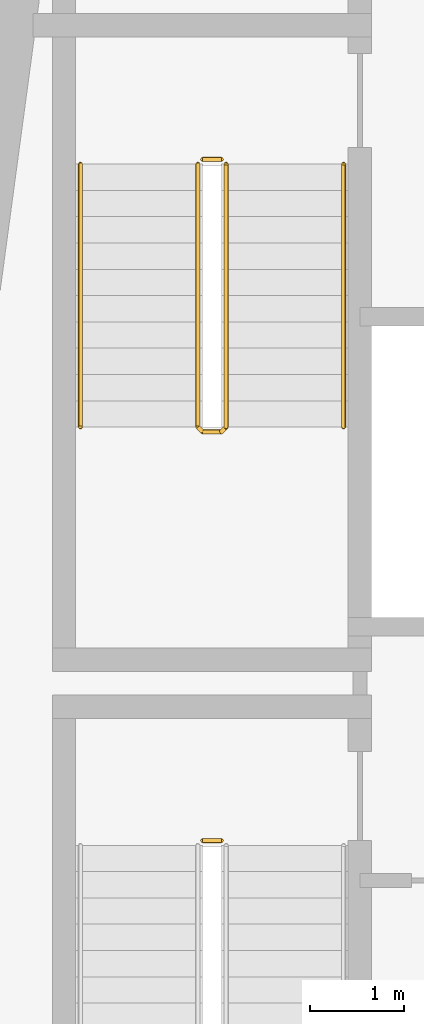
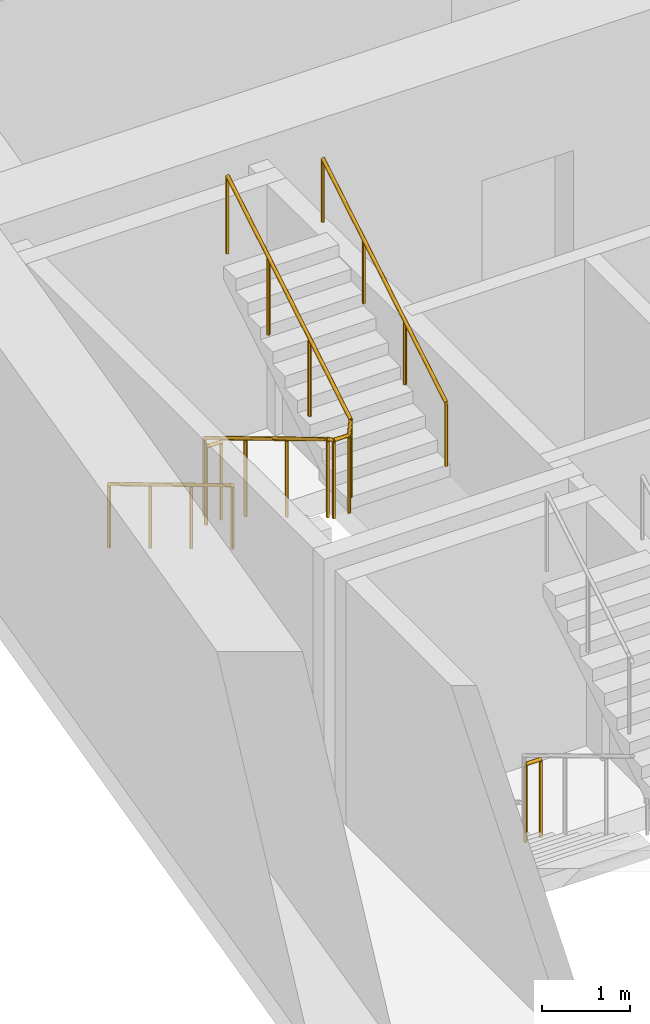
# One storey, part 9 of 12: 5 railings.
"""IFC4 building model written with IfcOpenShell, lengths in metres."""

from ifc_helpers import new_model, si_unit, direction, frame, origin, origin_2d, place, context, subcontext, project, spatial, circle, extrude, material, type_object, element, save


model = new_model("IFC4")

# Units and contexts
model_context = context("Model", 3, precision=1e-05, world=origin(), true_north=direction((0.0, 1.0)))
body_context = subcontext(model_context, "Body", "Model", "MODEL_VIEW")
ifc_project = project(units=[si_unit("LENGTHUNIT", "METRE"), si_unit("AREAUNIT", "SQUARE_METRE"), si_unit("VOLUMEUNIT", "CUBIC_METRE"), si_unit("PLANEANGLEUNIT", "RADIAN"), si_unit("MASSUNIT", "GRAM", prefix="KILO")], contexts=[model_context])

# Site, building, storey
site_placement = place(None, origin())
site = spatial("IfcSite", under=ifc_project, at=site_placement, CompositionType="ELEMENT")
building_placement = place(site_placement, origin())
building = spatial("IfcBuilding", under=site, at=building_placement, Name="Candeia Pilgrim Tower and Theatre", CompositionType="ELEMENT")
storey_placement = place(building_placement, frame((0.0, 0.0, 184.800048828125)))
storey = spatial("IfcBuildingStorey", under=building, at=storey_placement, Name="L44", CompositionType="ELEMENT", Elevation=184.800048828125)

# Railings
ifc_material_1 = material(Name="Stainless steel balustrade", Category="steel")
railing_type_1 = type_object("IfcRailingType", Name="RL-GUARD-1100", PredefinedType="GUARDRAIL", material=ifc_material_1)
railing_1_placement = place(storey_placement, frame((91.152099609375, 122.52490234375, 0.0)))
element("IfcRailing", 1, at=railing_1_placement, inside=storey, type_object=railing_type_1, Name="L44 ST1 stair guard 2", PredefinedType="GUARDRAIL", context=body_context, shape_type="SweptSolid", body=[
    extrude(circle(Radius=0.02392578125, at=origin_2d()), frame((0.0, 0.0, 1.076171875), z_axis=(1.0, 0.0, 0.0), x_axis=(0.0, 1.0, 0.0)), (0.0, 0.0, 1.0), 0.199951171875),
    extrude(circle(Radius=0.02099609375, at=origin_2d()), origin(), (0.0, 0.0, 1.0), 1.052001953125),
    extrude(circle(Radius=0.02099609375, at=origin_2d()), frame((0.199951171875, 0.0, 0.0)), (0.0, 0.0, 1.0), 1.052001953125),
])
railing_2_placement = place(storey_placement, frame((91.10205078125, 129.72509765625, 0.168212890625)))
element("IfcRailing", 2, at=railing_2_placement, inside=storey, type_object=railing_type_1, Name="L44 ST2 stair guard 1", PredefinedType="GUARDRAIL", context=body_context, shape_type="SweptSolid", body=[
    extrude(circle(Radius=0.02392578125, at=origin_2d()), frame((0.0, 0.0, 1.076171875), z_axis=(0.0, -0.857275202839, 0.514858452973), x_axis=(1.0, 0.0, 0.0)), (0.0, 0.0, 1.0), 3.26611328125),
    extrude(circle(Radius=0.02392578125, at=origin_2d()), frame((0.0, -2.800048828125, 2.7578125), z_axis=(0.707106781187, -0.707106781187, 0.0), x_axis=(0.707106781187, 0.707106781187, 0.0)), (0.0, 0.0, 1.0), 0.07080078125),
    extrude(circle(Radius=0.02392578125, at=origin_2d()), frame((0.050048828125, -2.85009765625, 2.7578125), z_axis=(1.0, 0.0, 0.0), x_axis=(0.0, 1.0, 0.0)), (0.0, 0.0, 1.0), 0.199951171875),
    extrude(circle(Radius=0.02392578125, at=origin_2d()), frame((0.25, -2.85009765625, 2.7578125), z_axis=(0.274243871929, 0.274243871929, 0.92172696468), x_axis=(-0.707106781187, 0.707106781187, 0.0)), (0.0, 0.0, 1.0), 0.1826171875),
    extrude(circle(Radius=0.02392578125, at=origin_2d()), frame((0.300048828125, -2.800048828125, 2.92578125), z_axis=(0.0, 0.857242210791, 0.514913383045), x_axis=(-1.0, 0.0, 0.0)), (0.0, 0.0, 1.0), 3.266357421875),
    extrude(circle(Radius=0.02099609375, at=origin_2d()), origin(), (0.0, 0.0, 1.0), 1.052001953125),
    extrude(circle(Radius=0.02099609375, at=origin_2d()), frame((0.0, -0.933349609375, 0.560546875)), (0.0, 0.0, 1.0), 1.052001953125),
    extrude(circle(Radius=0.02099609375, at=origin_2d()), frame((0.0, -1.86669921875, 1.12109375)), (0.0, 0.0, 1.0), 1.052001953125),
    extrude(circle(Radius=0.02099609375, at=origin_2d()), frame((0.0, -2.800048828125, 1.681640625)), (0.0, 0.0, 1.0), 1.052001953125),
    extrude(circle(Radius=0.02099609375, at=origin_2d()), frame((0.050048828125, -2.85009765625, 1.681640625)), (0.0, 0.0, 1.0), 1.052001953125),
    extrude(circle(Radius=0.02099609375, at=origin_2d()), frame((0.25, -2.85009765625, 1.681640625)), (0.0, 0.0, 1.0), 1.052001953125),
    extrude(circle(Radius=0.02099609375, at=origin_2d()), frame((0.300048828125, -2.800048828125, 1.849853515625)), (0.0, 0.0, 1.0), 1.052001953125),
    extrude(circle(Radius=0.02099609375, at=origin_2d()), frame((0.300048828125, -1.86669921875, 2.410400390625)), (0.0, 0.0, 1.0), 1.052001953125),
    extrude(circle(Radius=0.02099609375, at=origin_2d()), frame((0.300048828125, -0.933349609375, 2.97119140625)), (0.0, 0.0, 1.0), 1.052001953125),
    extrude(circle(Radius=0.02099609375, at=origin_2d()), frame((0.300048828125, 0.0, 3.53173828125)), (0.0, 0.0, 1.0), 1.052001953125),
])
railing_3_placement = place(storey_placement, frame((91.152099609375, 129.77490234375, 0.0)))
element("IfcRailing", 3, at=railing_3_placement, inside=storey, type_object=railing_type_1, Name="L44 ST2 stair guard 2", PredefinedType="GUARDRAIL", context=body_context, shape_type="SweptSolid", body=[
    extrude(circle(Radius=0.02392578125, at=origin_2d()), frame((0.0, 0.0, 1.076171875), z_axis=(1.0, 0.0, 0.0), x_axis=(0.0, 1.0, 0.0)), (0.0, 0.0, 1.0), 0.199951171875),
    extrude(circle(Radius=0.02099609375, at=origin_2d()), origin(), (0.0, 0.0, 1.0), 1.052001953125),
    extrude(circle(Radius=0.02099609375, at=origin_2d()), frame((0.199951171875, 0.0, 0.0)), (0.0, 0.0, 1.0), 1.052001953125),
])
ifc_material_2 = material(Name="Stainless steel handrail", Category="steel")
railing_type_2 = type_object("IfcRailingType", Name="RL-HANDRAIL-900", PredefinedType="HANDRAIL", material=ifc_material_2)
railing_4_placement = place(storey_placement, frame((89.85205078125, 129.72509765625, 0.168212890625)))
element("IfcRailing", 4, at=railing_4_placement, inside=storey, type_object=railing_type_2, Name="L44 ST2 stair handrail 1", PredefinedType="HANDRAIL", context=body_context, shape_type="SweptSolid", body=[
    extrude(circle(Radius=0.02392578125, at=origin_2d()), frame((0.0, 0.0, 0.8759765625), z_axis=(0.0, -0.857275202839, 0.514858452973), x_axis=(1.0, 0.0, 0.0)), (0.0, 0.0, 1.0), 3.26611328125),
    extrude(circle(Radius=0.02099609375, at=origin_2d()), origin(), (0.0, 0.0, 1.0), 0.851806640625),
    extrude(circle(Radius=0.02099609375, at=origin_2d()), frame((0.0, -0.933349609375, 0.560546875)), (0.0, 0.0, 1.0), 0.851806640625),
    extrude(circle(Radius=0.02099609375, at=origin_2d()), frame((0.0, -1.86669921875, 1.12109375)), (0.0, 0.0, 1.0), 0.851806640625),
    extrude(circle(Radius=0.02099609375, at=origin_2d()), frame((0.0, -2.800048828125, 1.681640625)), (0.0, 0.0, 1.0), 0.851806640625),
])
railing_5_placement = place(storey_placement, frame((92.652099609375, 126.925048828125, 2.01806640625)))
element("IfcRailing", 5, at=railing_5_placement, inside=storey, type_object=railing_type_2, Name="L44 ST2 stair handrail 2", PredefinedType="HANDRAIL", context=body_context, shape_type="SweptSolid", body=[
    extrude(circle(Radius=0.02392578125, at=origin_2d()), frame((0.0, 0.0, 0.8759765625), z_axis=(0.0, 0.857242210791, 0.514913383045), x_axis=(-1.0, 0.0, 0.0)), (0.0, 0.0, 1.0), 3.266357421875),
    extrude(circle(Radius=0.02099609375, at=origin_2d()), origin(), (0.0, 0.0, 1.0), 0.851806640625),
    extrude(circle(Radius=0.02099609375, at=origin_2d()), frame((0.0, 0.933349609375, 0.560546875)), (0.0, 0.0, 1.0), 0.851806640625),
    extrude(circle(Radius=0.02099609375, at=origin_2d()), frame((0.0, 1.86669921875, 1.121337890625)), (0.0, 0.0, 1.0), 0.851806640625),
    extrude(circle(Radius=0.02099609375, at=origin_2d()), frame((0.0, 2.800048828125, 1.681884765625)), (0.0, 0.0, 1.0), 0.851806640625),
])

save(model, "model.ifc")
